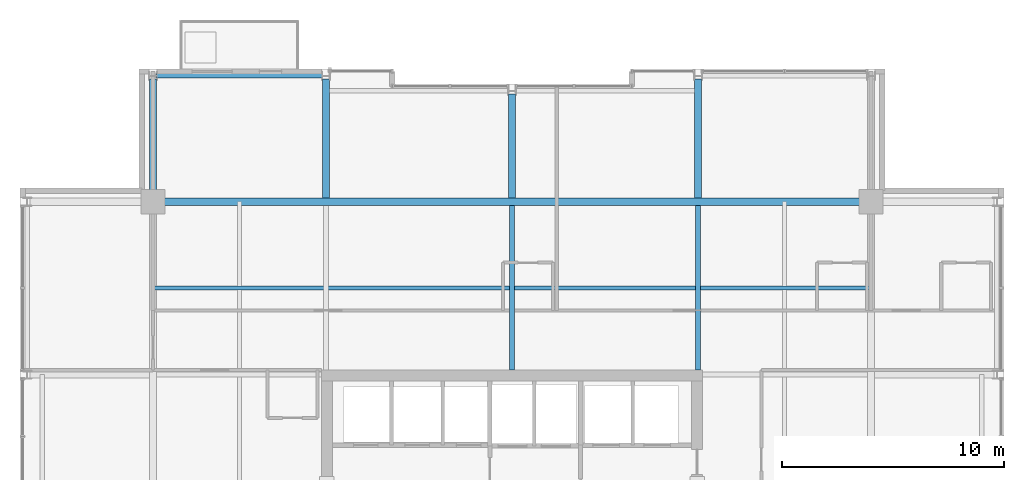
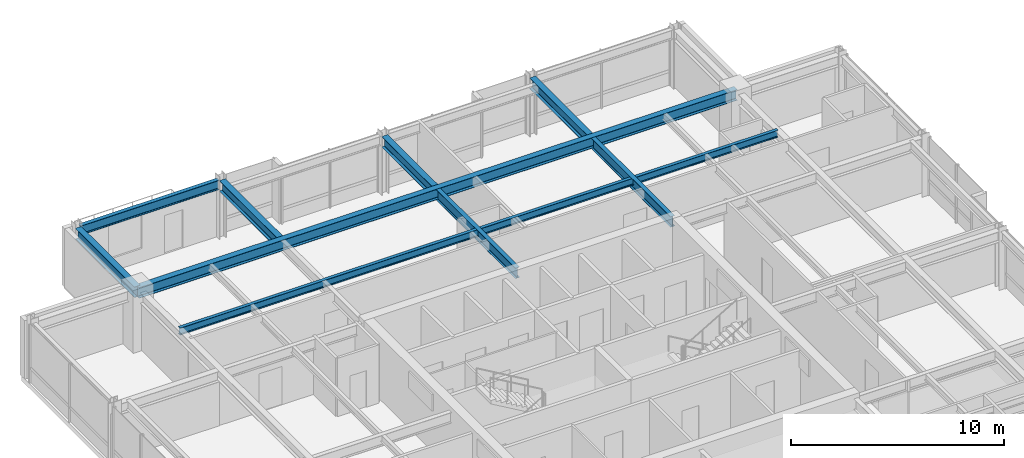
# One storey, part 19 of 30: 9 beams.
"""IFC4 building model written with IfcOpenShell, lengths in metres."""

from ifc_helpers import new_model, si_unit, direction, frame, origin, origin_2d, place, context, subcontext, project, spatial, i_section, extrude, material, material_profile, profile_set, type_object, element, save


model = new_model("IFC4")

# Units and contexts
model_context = context("Model", 3, precision=1e-05, world=origin(), true_north=direction((0.0, 1.0)))
body_context = subcontext(model_context, "Body", "Model", "MODEL_VIEW")
ifc_project = project(units=[si_unit("LENGTHUNIT", "METRE"), si_unit("AREAUNIT", "SQUARE_METRE"), si_unit("VOLUMEUNIT", "CUBIC_METRE"), si_unit("PLANEANGLEUNIT", "RADIAN"), si_unit("MASSUNIT", "GRAM", prefix="KILO")], contexts=[model_context])

# Site, building, storey
site_placement = place(None, origin())
site = spatial("IfcSite", under=ifc_project, at=site_placement, CompositionType="ELEMENT")
building_placement = place(site_placement, origin())
building = spatial("IfcBuilding", under=site, at=building_placement, Name="Drelvath Grand Hotel", CompositionType="ELEMENT")
storey_placement = place(building_placement, frame((0.0, 0.0, 215.89990234375)))
storey = spatial("IfcBuildingStorey", under=building, at=storey_placement, Name="L56", CompositionType="ELEMENT", Elevation=215.89990234375)

# Beams
ifc_material = material(Name="Steel ASTM A992 Gr 50", Category="steel")
ifc_material_profile_1 = material_profile(ifc_material, i_section(OverallWidth=0.177734375, OverallDepth=0.40673828125, WebThickness=0.0078125, FlangeThickness=0.0126953125, FilletRadius=0.014892578125, at=origin_2d()), Name="W16X40")
ifc_profile_set_1 = profile_set([ifc_material_profile_1], Name="Steel ASTM A992 Gr 50")
beam_type_1 = type_object("IfcBeamType", Name="Composite Floor Joist W16X40", PredefinedType="JOIST", material=ifc_profile_set_1)
beam_1_placement = place(storey_placement, frame((-16.199951171875, 39.300048828125, 3.13671875), z_axis=(1.0, 0.0, 0.0), x_axis=(0.0, 1.0, 0.0)))
element("IfcBeam", 1, at=beam_1_placement, inside=storey, type_object=beam_type_1, Name="L56 Floor Joist J2", PredefinedType="JOIST", context=body_context, shape_type="SweptSolid", body=[
    extrude(i_section(OverallWidth=0.177734375, OverallDepth=0.40673828125, WebThickness=0.0078125, FlangeThickness=0.0126953125, FilletRadius=0.014892578125, at=origin_2d()), origin(), (0.0, 0.0, 1.0), 32.39990234375),
])
ifc_material_profile_2 = material_profile(ifc_material, i_section(OverallWidth=0.210205078125, OverallDepth=0.53662109375, WebThickness=0.010986328125, FlangeThickness=0.017333984375, FilletRadius=0.01806640625, at=origin_2d()), Name="W21X68")
ifc_profile_set_2 = profile_set([ifc_material_profile_2], Name="Steel ASTM A992 Gr 50")
beam_type_2 = type_object("IfcBeamType", Name="Perimeter Spandrel Beam W21X68", PredefinedType="SPANDREL", material=ifc_profile_set_2)
beam_2_placement = place(storey_placement, frame((-16.06005859375, 48.8798828125, 3.07177734375), z_axis=(1.0, 0.0, 0.0), x_axis=(0.0, 1.0, 0.0)))
element("IfcBeam", 2, at=beam_2_placement, inside=storey, type_object=beam_type_2, Name="L56 Spandrel North W", PredefinedType="SPANDREL", context=body_context, shape_type="SweptSolid", body=[
    extrude(i_section(OverallWidth=0.210205078125, OverallDepth=0.53662109375, WebThickness=0.010986328125, FlangeThickness=0.017333984375, FilletRadius=0.01806640625, at=origin_2d()), origin(), (0.0, 0.0, 1.0), 7.52001953125),
])
ifc_material_profile_3 = material_profile(ifc_material, i_section(OverallWidth=0.323974609375, OverallDepth=0.611083984375, WebThickness=0.0126953125, FlangeThickness=0.01904296875, FilletRadius=0.02197265625, at=origin_2d()), Name="W24X104")
ifc_profile_set_3 = profile_set([ifc_material_profile_3], Name="Steel ASTM A992 Gr 50")
beam_type_3 = type_object("IfcBeamType", Name="Primary Floor Girder W24X104", PredefinedType="BEAM", material=ifc_profile_set_3)
beam_3_placement = place(storey_placement, frame((-16.199951171875, 43.199951171875, 3.034423828125), z_axis=(1.0, 0.0, 0.0), x_axis=(0.0, 1.0, 0.0)))
element("IfcBeam", 3, at=beam_3_placement, inside=storey, type_object=beam_type_3, Name="L56 Mega Ring Girder North", PredefinedType="BEAM", context=body_context, shape_type="SweptSolid", body=[
    extrude(i_section(OverallWidth=0.323974609375, OverallDepth=0.611083984375, WebThickness=0.0126953125, FlangeThickness=0.01904296875, FilletRadius=0.02197265625, at=origin_2d()), origin(), (0.0, 0.0, 1.0), 32.39990234375),
])
beam_4_placement = place(storey_placement, frame((-16.199951171875, 43.199951171875, 3.034423828125), z_axis=(0.0, 1.0, 0.0), x_axis=(-1.0, 0.0, 0.0)))
element("IfcBeam", 4, at=beam_4_placement, inside=storey, type_object=beam_type_3, Name="L56 North Grid Girder 3", PredefinedType="BEAM", context=body_context, shape_type="SweptSolid", body=[
    extrude(i_section(OverallWidth=0.323974609375, OverallDepth=0.611083984375, WebThickness=0.0126953125, FlangeThickness=0.01904296875, FilletRadius=0.02197265625, at=origin_2d()), origin(), (0.0, 0.0, 1.0), 5.5400390625),
])
beam_5_placement = place(storey_placement, frame((-8.39990234375, 43.362060546875, 3.034423828125), z_axis=(0.0, 1.0, 0.0), x_axis=(-1.0, 0.0, 0.0)))
element("IfcBeam", 5, at=beam_5_placement, inside=storey, type_object=beam_type_3, Name="L56 North Wing Girder 4", PredefinedType="BEAM", context=body_context, shape_type="SweptSolid", body=[
    extrude(i_section(OverallWidth=0.323974609375, OverallDepth=0.611083984375, WebThickness=0.0126953125, FlangeThickness=0.01904296875, FilletRadius=0.02197265625, at=origin_2d()), origin(), (0.0, 0.0, 1.0), 5.3779296875),
])
beam_6_placement = place(storey_placement, frame((0.0, 43.362060546875, 3.034423828125), z_axis=(0.0, 1.0, 0.0), x_axis=(-1.0, 0.0, 0.0)))
element("IfcBeam", 6, at=beam_6_placement, inside=storey, type_object=beam_type_3, Name="L56 North Wing Girder 5", PredefinedType="BEAM", context=body_context, shape_type="SweptSolid", body=[
    extrude(i_section(OverallWidth=0.323974609375, OverallDepth=0.611083984375, WebThickness=0.0126953125, FlangeThickness=0.01904296875, FilletRadius=0.02197265625, at=origin_2d()), origin(), (0.0, 0.0, 1.0), 4.697998046875),
])
beam_7_placement = place(storey_placement, frame((8.39990234375, 43.362060546875, 3.034423828125), z_axis=(0.0, 1.0, 0.0), x_axis=(-1.0, 0.0, 0.0)))
element("IfcBeam", 7, at=beam_7_placement, inside=storey, type_object=beam_type_3, Name="L56 North Wing Girder 6", PredefinedType="BEAM", context=body_context, shape_type="SweptSolid", body=[
    extrude(i_section(OverallWidth=0.323974609375, OverallDepth=0.611083984375, WebThickness=0.0126953125, FlangeThickness=0.01904296875, FilletRadius=0.02197265625, at=origin_2d()), origin(), (0.0, 0.0, 1.0), 5.3779296875),
])
ifc_material_profile_4 = material_profile(ifc_material, i_section(OverallWidth=0.228271484375, OverallDepth=0.607666015625, WebThickness=0.01123046875, FlangeThickness=0.017333984375, FilletRadius=0.02001953125, at=origin_2d()), Name="W24X76")
ifc_profile_set_4 = profile_set([ifc_material_profile_4], Name="Steel ASTM A992 Gr 50")
beam_type_4 = type_object("IfcBeamType", Name="Primary Floor Girder W24X76", PredefinedType="BEAM", material=ifc_profile_set_4)
for number, where, z_axis, x_axis, name in (
    (8, (0.0, 35.60009765625, 3.036376953125), (0.0, 1.0, 0.0), (-1.0, 0.0, 0.0), "L56 North Core Tie 5"),
    (9, (8.39990234375, 35.60009765625, 3.036376953125), (0.0, 1.0, 0.0), (-1.0, 0.0, 0.0), "L56 North Core Tie 6"),
):
    element("IfcBeam", number, at=place(storey_placement, frame(where, z_axis=z_axis, x_axis=x_axis)), inside=storey, type_object=beam_type_4, Name=name, PredefinedType="BEAM", context=body_context, shape_type="SweptSolid", body=[
        extrude(i_section(OverallWidth=0.228271484375, OverallDepth=0.607666015625, WebThickness=0.01123046875, FlangeThickness=0.017333984375, FilletRadius=0.02001953125, at=origin_2d()), origin(), (0.0, 0.0, 1.0), 7.43798828125),
    ])

save(model, "model.ifc")
